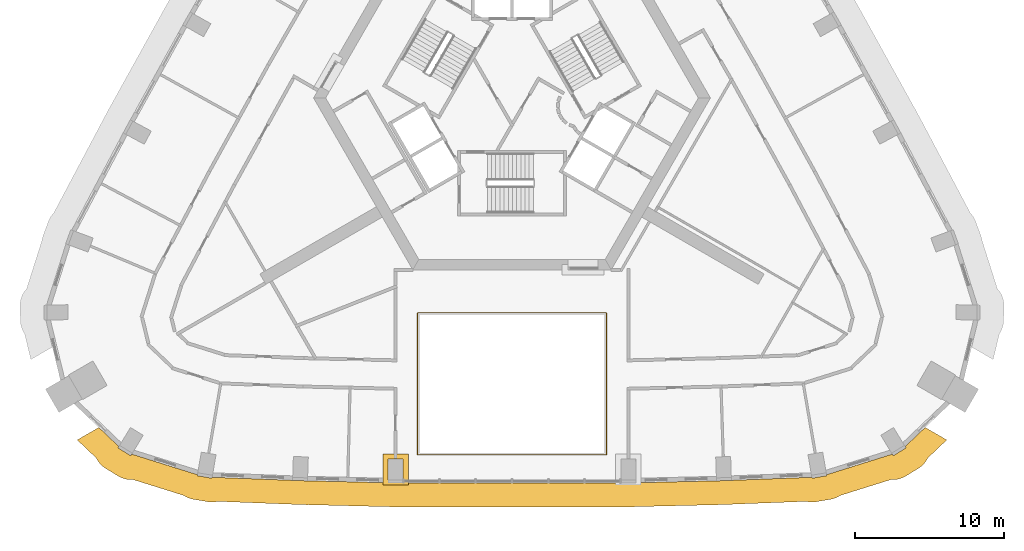
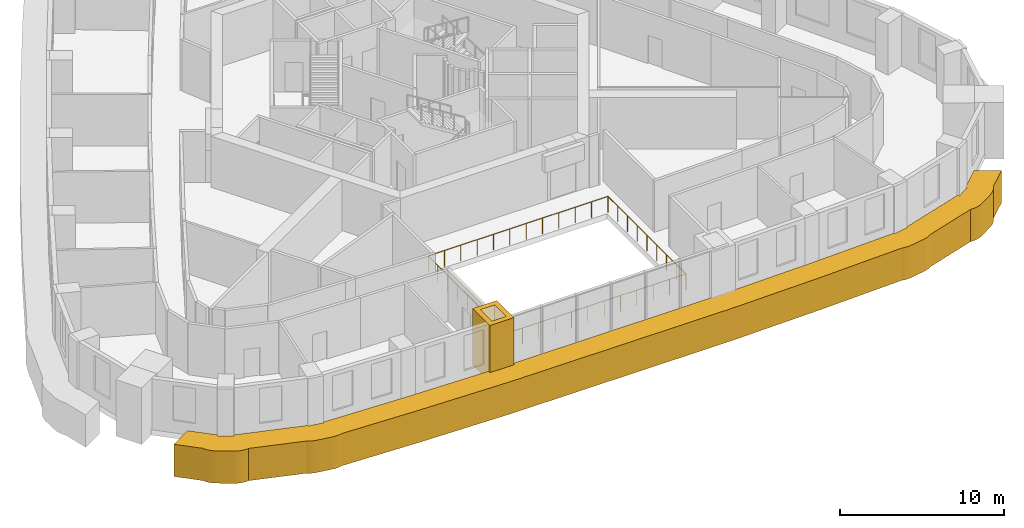
# One storey, part 11 of 13: 2 coverings, 1 railing.
"""IFC4 building model written with IfcOpenShell, lengths in metres."""

import ifcopenshell
import ifcopenshell.guid

model = None  # the IFC model being written
_history = None  # IfcOwnerHistory: only IFC2X3 demands one
_inside = {}  # id of a spatial element -> (the spatial element, [elements in it])
_under = {}  # id of a project, library or spatial element -> (it, [spatial elements below it])
_declared = {}  # id of a project -> (the project, [libraries it declares])
_typed = {}  # id of a type object -> (the type object, [elements of that type])
_made_of = {}  # id of a material, layer set ... -> (it, [elements and type objects made of it])


def new_model(schema):
    """Start an empty IFC model of exactly this schema.

    Asked for "IFC4X3", IfcOpenShell would pick the latest addendum, in which some entities
    have other attributes; the version numbers below select the first issue.
    IFC2X3 requires an IfcOwnerHistory on every rooted entity: one is made here for all.
    """
    global model, _history
    if schema == "IFC4X3":
        model = ifcopenshell.file(schema_version=(4, 3, 0, 0))
    else:
        model = ifcopenshell.file(schema=schema)
    _inside.clear()
    _under.clear()
    _declared.clear()
    _typed.clear()
    _made_of.clear()
    _history = None
    if model.schema == "IFC2X3":
        org = make("IfcOrganization", Name="unknown")
        user = make(
            "IfcPersonAndOrganization",
            ThePerson=make("IfcPerson", FamilyName="unknown"),
            TheOrganization=org,
        )
        app = make(
            "IfcApplication",
            ApplicationDeveloper=org,
            Version="unknown",
            ApplicationFullName="unknown",
            ApplicationIdentifier="unknown",
        )
        _history = make(
            "IfcOwnerHistory",
            OwningUser=user,
            OwningApplication=app,
            ChangeAction="ADDED",
            CreationDate=0,
        )
    return model


def make(cls, **values):
    """One entity of the class cls with the attributes given. An attribute that is None is left unset."""
    return model.create_entity(
        cls, **{name: value for name, value in values.items() if value is not None}
    )


def rooted(cls, **values):
    """An entity with a GlobalId (a new one), such as an element, a storey or a relation."""
    return make(cls, GlobalId=ifcopenshell.guid.new(), OwnerHistory=_history, **values)


def si_unit(unit_type, name, prefix=None):
    """IfcSIUnit, for example si_unit("LENGTHUNIT", "METRE", prefix="MILLI")."""
    return make("IfcSIUnit", UnitType=unit_type, Prefix=prefix, Name=name)


def assignment(units):
    """IfcUnitAssignment: the units of a project."""
    return None if units is None else make("IfcUnitAssignment", Units=units)


def point(xyz):
    """IfcCartesianPoint."""
    return None if xyz is None else make("IfcCartesianPoint", Coordinates=xyz)


def direction(xyz):
    """IfcDirection."""
    return None if xyz is None else make("IfcDirection", DirectionRatios=xyz)


def frame(location, z_axis=None, x_axis=None):
    """IfcAxis2Placement3D, a coordinate frame: its origin and axes. An axis left out is left unset."""
    return make(
        "IfcAxis2Placement3D",
        Location=point(location),
        Axis=direction(z_axis),
        RefDirection=direction(x_axis),
    )


def frame_2d(location, x_axis=None):
    """IfcAxis2Placement2D, a coordinate frame in the plane: its origin and x axis."""
    return make(
        "IfcAxis2Placement2D", Location=point(location), RefDirection=direction(x_axis)
    )


def origin():
    """The frame at (0, 0, 0) with its axes left unset."""
    return frame((0.0, 0.0, 0.0))


def origin_2d():
    """The frame at (0, 0) in the plane with its x axis left unset."""
    return frame_2d((0.0, 0.0))


def place(relative_to, where):
    """IfcLocalPlacement: puts the frame where relative to a parent placement (None: the world)."""
    return make(
        "IfcLocalPlacement", PlacementRelTo=relative_to, RelativePlacement=where
    )


def context(
    kind, dimensions, precision=None, world=None, true_north=None, identifier=None
):
    """IfcGeometricRepresentationContext, for example the 3D "Model" context."""
    return make(
        "IfcGeometricRepresentationContext",
        ContextIdentifier=identifier,
        ContextType=kind,
        CoordinateSpaceDimension=dimensions,
        Precision=precision,
        WorldCoordinateSystem=world,
        TrueNorth=true_north,
    )


def subcontext(parent, identifier, kind, view, scale=None):
    """IfcGeometricRepresentationSubContext, for example "Body" below "Model"."""
    return make(
        "IfcGeometricRepresentationSubContext",
        ContextIdentifier=identifier,
        ContextType=kind,
        ParentContext=parent,
        TargetScale=scale,
        TargetView=view,
    )


def project(units=None, contexts=None):
    """IfcProject with its units and contexts."""
    return rooted(
        "IfcProject",
        Name="project",
        RepresentationContexts=contexts,
        UnitsInContext=assignment(units),
    )


def spatial(cls, under=None, at=None, **own):
    """A site, building, storey or space (cls), placed at a placement, below another one or the project."""
    s = rooted(cls, ObjectPlacement=at, **own)
    if under is not None:
        _under.setdefault(under.id(), (under, []))[1].append(s)
    return s


def polyline(points):
    """IfcPolyline through the points."""
    return make("IfcPolyline", Points=[point(p) for p in points])


def profile(cls, at=None, kind="AREA", **sizes):
    """A parametric profile (cls). Its sizes go by their IFC names, for example OverallWidth=200.0."""
    return make(cls, ProfileType=kind, Position=at, **sizes)


def circle(**sizes):
    """IfcCircleProfileDef."""
    return profile("IfcCircleProfileDef", **sizes)


def outline(outer, holes=None, kind="AREA"):
    """IfcArbitraryClosedProfileDef: a profile drawn as a closed curve; with holes, ...WithVoids."""
    if holes is None:
        return make("IfcArbitraryClosedProfileDef", ProfileType=kind, OuterCurve=outer)
    return make(
        "IfcArbitraryProfileDefWithVoids",
        ProfileType=kind,
        OuterCurve=outer,
        InnerCurves=holes,
    )


def extrude(swept, where, along, depth):
    """IfcExtrudedAreaSolid: the profile swept, set in the frame where, extruded along a direction by depth."""
    return make(
        "IfcExtrudedAreaSolid",
        SweptArea=swept,
        Position=where,
        ExtrudedDirection=direction(along),
        Depth=depth,
    )


def shape(context_of_items, identifier, shape_type, items):
    """IfcShapeRepresentation: the items that make up one representation, for example the "Body"."""
    return make(
        "IfcShapeRepresentation",
        ContextOfItems=context_of_items,
        RepresentationIdentifier=identifier,
        RepresentationType=shape_type,
        Items=items,
    )


def material(Name=None, Category=None):
    """IfcMaterial."""
    return make("IfcMaterial", Name=Name, Category=Category)


def made_of(thing, what):
    """Note that an element or type object is made of a material, layer set ...; save() writes the relation."""
    if what is not None:
        _made_of.setdefault(what.id(), (what, []))[1].append(thing)
    return thing


def type_object(cls, material=None, **own):
    """A type object (cls), such as IfcWallType, which elements share."""
    return made_of(rooted(cls, **own), material)


def element(
    cls,
    number,
    at=None,
    inside=None,
    cuts=None,
    type_object=None,
    material=None,
    context=None,
    identifier="Body",
    shape_type=None,
    held_by="IfcProductDefinitionShape",
    body=None,
    shapes=None,
    **own,
):
    """One element of the class cls, such as IfcWall. Its Tag is "e" and its number.

    at: its placement. inside: the storey or other place that contains it. cuts: it is an
    opening in that element (IfcRelVoidsElement). A single representation is given by context,
    identifier, shape_type and body (its items); several are given by shapes. held_by: the class
    of the entity that holds the representations. save() writes the other relations.
    """
    e = rooted(cls, Tag="e%d" % number, ObjectPlacement=at, **own)
    if body is not None:
        shapes = [shape(context, identifier, shape_type, body)]
    if shapes is not None:
        e.Representation = make(held_by, Representations=shapes)
    if inside is not None:
        _inside.setdefault(inside.id(), (inside, []))[1].append(e)
    if cuts is not None:
        rooted(
            "IfcRelVoidsElement", RelatingBuildingElement=cuts, RelatedOpeningElement=e
        )
    if type_object is not None:
        _typed.setdefault(type_object.id(), (type_object, []))[1].append(e)
    return made_of(e, material)


def aggregate(whole, parts):
    """IfcRelAggregates: a whole, such as a stair, and the parts it consists of."""
    return rooted("IfcRelAggregates", RelatingObject=whole, RelatedObjects=parts)


def save(model, path):
    """Write the relations noted so far, then the file.

    IfcRelAggregates (storeys below a building ...), IfcRelContainedInSpatialStructure (elements
    in a storey), IfcRelDefinesByType, IfcRelAssociatesMaterial and IfcRelDeclares: one each for
    every whole, place, type object, material and project.
    """
    for whole, parts in _under.values():
        aggregate(whole, parts)
    for where, things in _inside.values():
        rooted(
            "IfcRelContainedInSpatialStructure",
            RelatedElements=things,
            RelatingStructure=where,
        )
    for kind, things in _typed.values():
        rooted("IfcRelDefinesByType", RelatedObjects=things, RelatingType=kind)
    for what, things in _made_of.values():
        rooted("IfcRelAssociatesMaterial", RelatedObjects=things, RelatingMaterial=what)
    for by, libraries in _declared.values():
        rooted("IfcRelDeclares", RelatingContext=by, RelatedDefinitions=libraries)
    model.write(path)


model = new_model("IFC4")

# Units and contexts
model_context = context("Model", 3, precision=1e-05, world=origin(), true_north=direction((0.0, 1.0)))
body_context = subcontext(model_context, "Body", "Model", "MODEL_VIEW")
ifc_project = project(units=[si_unit("LENGTHUNIT", "METRE"), si_unit("AREAUNIT", "SQUARE_METRE"), si_unit("VOLUMEUNIT", "CUBIC_METRE"), si_unit("PLANEANGLEUNIT", "RADIAN"), si_unit("MASSUNIT", "GRAM", prefix="KILO")], contexts=[model_context])

# Site, building, storey
site_placement = place(None, origin())
site = spatial("IfcSite", under=ifc_project, at=site_placement, CompositionType="ELEMENT")
building_placement = place(site_placement, origin())
building = spatial("IfcBuilding", under=site, at=building_placement, Name="Entoto Arch Interchange Tower", CompositionType="ELEMENT")
storey_placement = place(building_placement, frame((0.0, 0.0, 219.199951171875)))
storey = spatial("IfcBuildingStorey", under=building, at=storey_placement, Name="L49", CompositionType="ELEMENT", Elevation=219.199951171875)

# Railing
ifc_material_1 = material(Name="Stainless steel 1.4301", Category="steel")
railing_type = type_object("IfcRailingType", Name="ATRIUM GUARD 1200 STEEL AND GLASS", PredefinedType="GUARDRAIL", material=ifc_material_1)
railing_placement = place(storey_placement, frame((6.320068359375, -21.381103515625, 0.0)))
element("IfcRailing", 1, at=railing_placement, inside=storey, type_object=railing_type, Name="Atrium guard L49", PredefinedType="GUARDRAIL", context=body_context, shape_type="SweptSolid", body=[
    extrude(circle(Radius=0.02392578125, at=origin_2d()), frame((0.0, 0.0, 1.17578125), z_axis=(-1.0, 0.0, 0.0), x_axis=(0.0, -1.0, 0.0)), (0.0, 0.0, 1.0), 12.64013671875),
    extrude(circle(Radius=0.02392578125, at=origin_2d()), frame((-12.64013671875, 0.0, 1.17578125), z_axis=(0.0, 1.0, 0.0), x_axis=(-1.0, 0.0, 0.0)), (0.0, 0.0, 1.0), 9.501220703125),
    extrude(circle(Radius=0.02392578125, at=origin_2d()), frame((-12.64013671875, 9.501220703125, 1.17578125), z_axis=(1.0, 0.0, 0.0), x_axis=(0.0, 1.0, 0.0)), (0.0, 0.0, 1.0), 12.64013671875),
    extrude(circle(Radius=0.02392578125, at=origin_2d()), frame((0.0, 9.501220703125, 1.17578125), z_axis=(0.0, -1.0, 0.0), x_axis=(1.0, 0.0, 0.0)), (0.0, 0.0, 1.0), 9.501220703125),
    extrude(circle(Radius=0.02099609375, at=origin_2d()), origin(), (0.0, 0.0, 1.0), 1.15185546875),
    extrude(circle(Radius=0.02099609375, at=origin_2d()), frame((-1.149169921875, 0.0, 0.0)), (0.0, 0.0, 1.0), 1.15185546875),
    extrude(circle(Radius=0.02099609375, at=origin_2d()), frame((-2.298095703125, 0.0, 0.0)), (0.0, 0.0, 1.0), 1.15185546875),
    extrude(circle(Radius=0.02099609375, at=origin_2d()), frame((-3.447265625, 0.0, 0.0)), (0.0, 0.0, 1.0), 1.15185546875),
    extrude(circle(Radius=0.02099609375, at=origin_2d()), frame((-4.596435546875, 0.0, 0.0)), (0.0, 0.0, 1.0), 1.15185546875),
    extrude(circle(Radius=0.02099609375, at=origin_2d()), frame((-5.74560546875, 0.0, 0.0)), (0.0, 0.0, 1.0), 1.15185546875),
    extrude(circle(Radius=0.02099609375, at=origin_2d()), frame((-6.89453125, 0.0, 0.0)), (0.0, 0.0, 1.0), 1.15185546875),
    extrude(circle(Radius=0.02099609375, at=origin_2d()), frame((-8.043701171875, 0.0, 0.0)), (0.0, 0.0, 1.0), 1.15185546875),
    extrude(circle(Radius=0.02099609375, at=origin_2d()), frame((-9.19287109375, 0.0, 0.0)), (0.0, 0.0, 1.0), 1.15185546875),
    extrude(circle(Radius=0.02099609375, at=origin_2d()), frame((-10.342041015625, 0.0, 0.0)), (0.0, 0.0, 1.0), 1.15185546875),
    extrude(circle(Radius=0.02099609375, at=origin_2d()), frame((-11.490966796875, 0.0, 0.0)), (0.0, 0.0, 1.0), 1.15185546875),
    extrude(circle(Radius=0.02099609375, at=origin_2d()), frame((-12.64013671875, 0.0, 0.0)), (0.0, 0.0, 1.0), 1.15185546875),
    extrude(circle(Radius=0.02099609375, at=origin_2d()), frame((-12.64013671875, 1.187744140625, 0.0)), (0.0, 0.0, 1.0), 1.15185546875),
    extrude(circle(Radius=0.02099609375, at=origin_2d()), frame((-12.64013671875, 2.375244140625, 0.0)), (0.0, 0.0, 1.0), 1.15185546875),
    extrude(circle(Radius=0.02099609375, at=origin_2d()), frame((-12.64013671875, 3.56298828125, 0.0)), (0.0, 0.0, 1.0), 1.15185546875),
    extrude(circle(Radius=0.02099609375, at=origin_2d()), frame((-12.64013671875, 4.75048828125, 0.0)), (0.0, 0.0, 1.0), 1.15185546875),
    extrude(circle(Radius=0.02099609375, at=origin_2d()), frame((-12.64013671875, 5.938232421875, 0.0)), (0.0, 0.0, 1.0), 1.15185546875),
    extrude(circle(Radius=0.02099609375, at=origin_2d()), frame((-12.64013671875, 7.1259765625, 0.0)), (0.0, 0.0, 1.0), 1.15185546875),
    extrude(circle(Radius=0.02099609375, at=origin_2d()), frame((-12.64013671875, 8.3134765625, 0.0)), (0.0, 0.0, 1.0), 1.15185546875),
    extrude(circle(Radius=0.02099609375, at=origin_2d()), frame((-12.64013671875, 9.501220703125, 0.0)), (0.0, 0.0, 1.0), 1.15185546875),
    extrude(circle(Radius=0.02099609375, at=origin_2d()), frame((-11.490966796875, 9.501220703125, 0.0)), (0.0, 0.0, 1.0), 1.15185546875),
    extrude(circle(Radius=0.02099609375, at=origin_2d()), frame((-10.342041015625, 9.501220703125, 0.0)), (0.0, 0.0, 1.0), 1.15185546875),
    extrude(circle(Radius=0.02099609375, at=origin_2d()), frame((-9.19287109375, 9.501220703125, 0.0)), (0.0, 0.0, 1.0), 1.15185546875),
    extrude(circle(Radius=0.02099609375, at=origin_2d()), frame((-8.043701171875, 9.501220703125, 0.0)), (0.0, 0.0, 1.0), 1.15185546875),
    extrude(circle(Radius=0.02099609375, at=origin_2d()), frame((-6.89453125, 9.501220703125, 0.0)), (0.0, 0.0, 1.0), 1.15185546875),
    extrude(circle(Radius=0.02099609375, at=origin_2d()), frame((-5.74560546875, 9.501220703125, 0.0)), (0.0, 0.0, 1.0), 1.15185546875),
    extrude(circle(Radius=0.02099609375, at=origin_2d()), frame((-4.596435546875, 9.501220703125, 0.0)), (0.0, 0.0, 1.0), 1.15185546875),
    extrude(circle(Radius=0.02099609375, at=origin_2d()), frame((-3.447265625, 9.501220703125, 0.0)), (0.0, 0.0, 1.0), 1.15185546875),
    extrude(circle(Radius=0.02099609375, at=origin_2d()), frame((-2.298095703125, 9.501220703125, 0.0)), (0.0, 0.0, 1.0), 1.15185546875),
    extrude(circle(Radius=0.02099609375, at=origin_2d()), frame((-1.149169921875, 9.501220703125, 0.0)), (0.0, 0.0, 1.0), 1.15185546875),
    extrude(circle(Radius=0.02099609375, at=origin_2d()), frame((0.0, 9.501220703125, 0.0)), (0.0, 0.0, 1.0), 1.15185546875),
    extrude(circle(Radius=0.02099609375, at=origin_2d()), frame((0.0, 8.3134765625, 0.0)), (0.0, 0.0, 1.0), 1.15185546875),
    extrude(circle(Radius=0.02099609375, at=origin_2d()), frame((0.0, 7.1259765625, 0.0)), (0.0, 0.0, 1.0), 1.15185546875),
    extrude(circle(Radius=0.02099609375, at=origin_2d()), frame((0.0, 5.938232421875, 0.0)), (0.0, 0.0, 1.0), 1.15185546875),
    extrude(circle(Radius=0.02099609375, at=origin_2d()), frame((0.0, 4.75048828125, 0.0)), (0.0, 0.0, 1.0), 1.15185546875),
    extrude(circle(Radius=0.02099609375, at=origin_2d()), frame((0.0, 3.56298828125, 0.0)), (0.0, 0.0, 1.0), 1.15185546875),
    extrude(circle(Radius=0.02099609375, at=origin_2d()), frame((0.0, 2.375244140625, 0.0)), (0.0, 0.0, 1.0), 1.15185546875),
    extrude(circle(Radius=0.02099609375, at=origin_2d()), frame((0.0, 1.187744140625, 0.0)), (0.0, 0.0, 1.0), 1.15185546875),
])

# Coverings
ifc_material_2 = material(Name="Board-marked precast concrete C50/60", Category="concrete")
covering_type = type_object("IfcCoveringType", Name="PRECAST FRAME COURSE", PredefinedType="CLADDING", material=ifc_material_2)
covering_1_placement = place(storey_placement, frame((0.0, 0.0, -0.39990234375)))
element("IfcCovering", 2, at=covering_1_placement, inside=storey, type_object=covering_type, Name="Gate pier L49", PredefinedType="CLADDING", context=body_context, shape_type="SweptSolid", body=[
    extrude(outline(polyline([(-8.637939453125, -21.31103515625), (-6.93798828125, -21.31103515625), (-6.93798828125, -23.410888671875), (-8.637939453125, -23.410888671875), (-8.637939453125, -21.31103515625)]), holes=[polyline([(-8.2880859375, -21.660888671875), (-8.2880859375, -23.06103515625), (-7.2880859375, -23.06103515625), (-7.2880859375, -21.660888671875), (-8.2880859375, -21.660888671875)])]), origin(), (0.0, 0.0, 1.0), 4.199951171875),
])
covering_2_placement = place(storey_placement, frame((0.0, 0.0, -2.099853515625)))
element("IfcCovering", 3, at=covering_2_placement, inside=storey, type_object=covering_type, Name="Slab edge fin L49", PredefinedType="CLADDING", context=body_context, shape_type="SweptSolid", body=[
    extrude(outline(polyline([(27.55908203125, -21.98388671875), (27.448974609375, -22.095947265625), (27.327880859375, -22.197021484375), (27.198974609375, -22.284912109375), (26.344970703125, -22.805908203125), (26.20703125, -22.881103515625), (26.06298828125, -22.943115234375), (25.9130859375, -22.989013671875), (25.759033203125, -23.02099609375), (25.60302734375, -23.0380859375), (25.446044921875, -23.0390625), (25.375, -23.032958984375), (21.950927734375, -24.10595703125), (21.916015625, -24.1298828125), (21.779052734375, -24.2080078125), (21.635009765625, -24.27099609375), (21.486083984375, -24.320068359375), (21.3330078125, -24.35400390625), (20.346923828125, -24.52392578125), (20.19091796875, -24.54296875), (20.033935546875, -24.5458984375), (19.8779296875, -24.533935546875), (19.722900390625, -24.507080078125), (19.68603515625, -24.4970703125), (14.787109375, -24.68505859375), (14.739013671875, -24.68896484375), (13.739990234375, -24.722900390625), (13.721923828125, -24.72412109375), (8.458984375, -24.845947265625), (8.321044921875, -24.85400390625), (7.321044921875, -24.866943359375), (7.299072265625, -24.867919921875), (-7.158935546875, -24.861083984375), (-7.1640625, -24.862060546875), (-7.321044921875, -24.866943359375), (-8.321044921875, -24.85400390625), (-8.340087890625, -24.85400390625), (-13.617919921875, -24.720947265625), (-13.739990234375, -24.722900390625), (-14.739013671875, -24.68896484375), (-14.7470703125, -24.68896484375), (-19.68701171875, -24.4970703125), (-19.722900390625, -24.507080078125), (-19.8779296875, -24.533935546875), (-20.033935546875, -24.5458984375), (-20.19091796875, -24.54296875), (-20.346923828125, -24.52392578125), (-21.3330078125, -24.35400390625), (-21.486083984375, -24.320068359375), (-21.635009765625, -24.27099609375), (-21.779052734375, -24.2080078125), (-21.916015625, -24.1298828125), (-21.950927734375, -24.10595703125), (-25.375, -23.032958984375), (-25.446044921875, -23.0390625), (-25.60302734375, -23.0380859375), (-25.759033203125, -23.02099609375), (-25.9130859375, -22.989013671875), (-26.06298828125, -22.943115234375), (-26.20703125, -22.881103515625), (-26.344970703125, -22.805908203125), (-27.198974609375, -22.284912109375), (-27.327880859375, -22.197021484375), (-27.448974609375, -22.095947265625), (-27.55908203125, -21.98388671875), (-27.657958984375, -21.862060546875), (-27.743896484375, -21.73095703125), (-27.80810546875, -21.60791015625), (-29.093994140625, -20.383056640625), (-27.64892578125, -19.549072265625), (-26.30810546875, -20.826904296875), (-26.364990234375, -20.9189453125), (-25.93798828125, -21.179931640625), (-25.510986328125, -21.44091796875), (-25.446044921875, -21.333984375), (-21.050048828125, -22.7109375), (-21.06201171875, -22.777099609375), (-20.569091796875, -22.862060546875), (-20.075927734375, -22.947021484375), (-20.06494140625, -22.881103515625), (-14.68505859375, -23.087890625), (-14.68505859375, -23.090087890625), (-14.18505859375, -23.10693359375), (-13.68505859375, -23.1240234375), (-13.68505859375, -23.118896484375), (-8.300048828125, -23.2490234375), (-8.300048828125, -23.25390625), (-7.300048828125, -23.26806640625), (-7.300048828125, -23.260986328125), (7.300048828125, -23.260986328125), (7.300048828125, -23.26806640625), (8.300048828125, -23.25390625), (8.300048828125, -23.2490234375), (13.68505859375, -23.118896484375), (13.68505859375, -23.1240234375), (14.18505859375, -23.10693359375), (14.68505859375, -23.090087890625), (14.68505859375, -23.087890625), (20.06494140625, -22.881103515625), (20.075927734375, -22.947021484375), (20.569091796875, -22.862060546875), (21.06201171875, -22.777099609375), (21.050048828125, -22.7109375), (25.446044921875, -21.333984375), (25.510986328125, -21.44091796875), (25.93798828125, -21.179931640625), (26.364990234375, -20.9189453125), (26.30810546875, -20.826904296875), (27.64892578125, -19.549072265625), (29.093994140625, -20.383056640625), (27.80810546875, -21.60791015625), (27.743896484375, -21.73095703125), (27.657958984375, -21.862060546875), (27.55908203125, -21.98388671875)])), origin(), (0.0, 0.0, 1.0), 2.39990234375),
])

save(model, "model.ifc")
